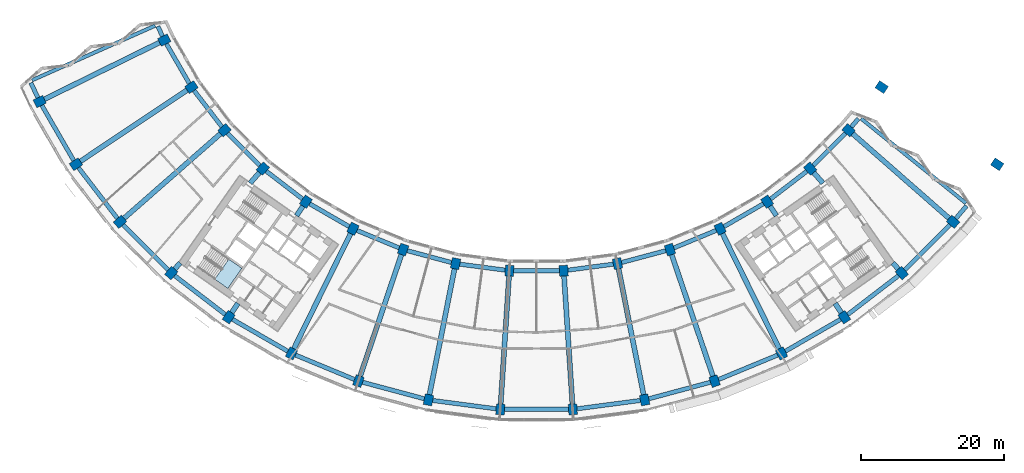
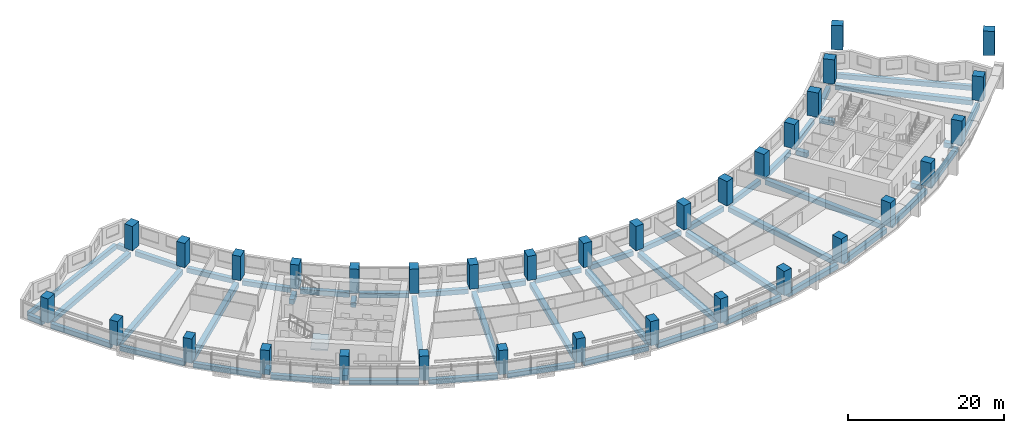
# One storey, part 1 of 29: 56 beams, 34 columns, 1 slab, 1 element without a shape of its own.
"""IFC4 building model written with IfcOpenShell, lengths in metres."""

from ifc_helpers import new_model, si_unit, direction, frame, origin, origin_2d, place, context, subcontext, project, spatial, polyline, rectangle, outline, extrude, material, layer, layer_set, material_profile, profile_set, type_object, element, aggregate, save


model = new_model("IFC4")

# Units and contexts
model_context = context("Model", 3, precision=1e-05, world=origin(), true_north=direction((0.0, 1.0)))
body_context = subcontext(model_context, "Body", "Model", "MODEL_VIEW")
ifc_project = project(units=[si_unit("LENGTHUNIT", "METRE"), si_unit("AREAUNIT", "SQUARE_METRE"), si_unit("VOLUMEUNIT", "CUBIC_METRE"), si_unit("PLANEANGLEUNIT", "RADIAN"), si_unit("MASSUNIT", "GRAM", prefix="KILO")], contexts=[model_context])

# Site, building, storey
site_placement = place(None, origin())
site = spatial("IfcSite", under=ifc_project, at=site_placement, CompositionType="ELEMENT")
building_placement = place(site_placement, origin())
building = spatial("IfcBuilding", under=site, at=building_placement, Name="Qamariyya Broadcast Tower", CompositionType="ELEMENT")
storey_placement = place(building_placement, frame((0.0, 0.0, 129.10009765625)))
storey = spatial("IfcBuildingStorey", under=building, at=storey_placement, Name="L29", CompositionType="ELEMENT", Elevation=129.10009765625)

# Columns
ifc_material_1 = material(Name="Concrete C70/85", Category="concrete")
ifc_material_profile_1 = material_profile(ifc_material_1, rectangle(XDim=1.199951171875, YDim=1.5, at=origin_2d()))
ifc_profile_set_1 = profile_set([ifc_material_profile_1], Name="Concrete C70/85")
column_type = type_object("IfcColumnType", Name="RC column 1200 x 1500 C70/85", PredefinedType="COLUMN", material=ifc_profile_set_1)
for number, where, z_axis, x_axis, name in (
    (1, (-52.242919921875, -25.763427734375, 0.0), (0.0, 0.0, 1.0), (0.442288690219, -0.896872741533, 0.0), "Column C7 L29 B-R02"),
    (2, (-69.73193359375, -34.387939453125, 0.0), (0.0, 0.0, 1.0), (0.442288690219, -0.896872741533, 0.0), "Column C7 L29 C-R02"),
    (3, (-48.43310546875, -32.362060546875, 0.0), (0.0, 0.0, 1.0), (0.55557023302, -0.831469612303, 0.0), "Column C7 L29 B-R03"),
    (4, (-64.646728515625, -43.195556640625, 0.0), (0.0, 0.0, 1.0), (0.55557023302, -0.831469612303, 0.0), "Column C7 L29 C-R03"),
    (5, (-43.794677734375, -38.406982421875, 0.0), (0.0, 0.0, 1.0), (0.6593458151, -0.751839807479, 0.0), "Column C7 L29 B-R04"),
    (6, (-58.45556640625, -51.26416015625, 0.0), (0.0, 0.0, 1.0), (0.6593458151, -0.751839807479, 0.0), "Column C7 L29 C-R04"),
    (7, (-38.406982421875, -43.794677734375, 0.0), (0.0, 0.0, 1.0), (0.751839807479, -0.6593458151, 0.0), "Column C7 L29 B-R05"),
    (8, (-51.26416015625, -58.45556640625, 0.0), (0.0, 0.0, 1.0), (0.751839807479, -0.6593458151, 0.0), "Column C7 L29 C-R05"),
    (9, (-32.362060546875, -48.43310546875, 0.0), (0.0, 0.0, 1.0), (0.831469612303, -0.55557023302, 0.0), "Column C7 L29 B-R06"),
    (10, (-43.195556640625, -64.646728515625, 0.0), (0.0, 0.0, 1.0), (0.831469612303, -0.55557023302, 0.0), "Column C7 L29 C-R06"),
    (11, (-25.763427734375, -52.242919921875, 0.0), (0.0, 0.0, 1.0), (0.896872741533, -0.442288690219, 0.0), "Column C7 L29 B-R07"),
    (12, (-34.387939453125, -69.73193359375, 0.0), (0.0, 0.0, 1.0), (0.896872741533, -0.442288690219, 0.0), "Column C7 L29 C-R07"),
    (13, (-18.723876953125, -55.15869140625, 0.0), (0.0, 0.0, 1.0), (0.946930129495, -0.321439465303, 0.0), "Column C7 L29 B-R08"),
    (14, (-24.991943359375, -73.623779296875, 0.0), (0.0, 0.0, 1.0), (0.946930129495, -0.321439465303, 0.0), "Column C7 L29 C-R08"),
    (15, (-11.364013671875, -57.130859375, 0.0), (0.0, 0.0, 1.0), (0.980785280403, -0.195090322016, 0.0), "Column C7 L29 B-R09"),
    (16, (-15.168212890625, -76.256103515625, 0.0), (0.0, 0.0, 1.0), (0.980785280403, -0.195090322016, 0.0), "Column C7 L29 C-R09"),
    (17, (-3.809814453125, -58.125244140625, 0.0), (0.0, 0.0, 1.0), (0.997858923239, -0.06540312923, 0.0), "Column C7 L29 B-R10"),
    (18, (-5.085205078125, -77.58349609375, 0.0), (0.0, 0.0, 1.0), (0.997858923239, -0.06540312923, 0.0), "Column C7 L29 C-R10"),
    (19, (3.809814453125, -58.125244140625, 0.0), (0.0, 0.0, 1.0), (0.997858923239, 0.06540312923, 0.0), "Column C7 L29 B-R11"),
    (20, (5.085205078125, -77.58349609375, 0.0), (0.0, 0.0, 1.0), (0.997858923239, 0.06540312923, 0.0), "Column C7 L29 C-R11"),
    (21, (11.364013671875, -57.130859375, 0.0), (0.0, 0.0, 1.0), (0.980785280403, 0.195090322016, 0.0), "Column C7 L29 B-R12"),
    (22, (15.168212890625, -76.256103515625, 0.0), (0.0, 0.0, 1.0), (0.980785280403, 0.195090322016, 0.0), "Column C7 L29 C-R12"),
    (23, (18.723876953125, -55.15869140625, 0.0), (0.0, 0.0, 1.0), (0.946930129495, 0.321439465303, 0.0), "Column C7 L29 B-R13"),
    (24, (24.991943359375, -73.623779296875, 0.0), (0.0, 0.0, 1.0), (0.946930129495, 0.321439465303, 0.0), "Column C7 L29 C-R13"),
    (25, (25.763427734375, -52.242919921875, 0.0), (0.0, 0.0, 1.0), (0.896872741533, 0.442288690219, 0.0), "Column C7 L29 B-R14"),
    (26, (34.387939453125, -69.73193359375, 0.0), (0.0, 0.0, 1.0), (0.896872741533, 0.442288690219, 0.0), "Column C7 L29 C-R14"),
    (27, (32.362060546875, -48.43310546875, 0.0), (0.0, 0.0, 1.0), (0.831469612303, 0.55557023302, 0.0), "Column C7 L29 B-R15"),
    (28, (43.195556640625, -64.646728515625, 0.0), (0.0, 0.0, 1.0), (0.831469612303, 0.55557023302, 0.0), "Column C7 L29 C-R15"),
    (29, (38.406982421875, -43.794677734375, 0.0), (0.0, 0.0, 1.0), (0.751839807479, 0.6593458151, 0.0), "Column C7 L29 B-R16"),
    (30, (51.26416015625, -58.45556640625, 0.0), (0.0, 0.0, 1.0), (0.751839807479, 0.6593458151, 0.0), "Column C7 L29 C-R16"),
    (31, (43.794677734375, -38.406982421875, 0.0), (0.0, 0.0, 1.0), (0.6593458151, 0.751839807479, 0.0), "Column C7 L29 B-R17"),
    (32, (58.45556640625, -51.26416015625, 0.0), (0.0, 0.0, 1.0), (0.6593458151, 0.751839807479, 0.0), "Column C7 L29 C-R17"),
    (33, (48.43310546875, -32.362060546875, 0.0), (0.0, 0.0, 1.0), (0.55557023302, 0.831469612303, 0.0), "Column C7 L29 B-R18"),
    (34, (64.646728515625, -43.195556640625, 0.0), (0.0, 0.0, 1.0), (0.55557023302, 0.831469612303, 0.0), "Column C7 L29 C-R18"),
):
    element("IfcColumn", number, at=place(storey_placement, frame(where, z_axis=z_axis, x_axis=x_axis)), inside=storey, type_object=column_type, Name=name, PredefinedType="COLUMN", context=body_context, shape_type="SweptSolid", body=[
        extrude(rectangle(XDim=1.199951171875, YDim=1.5, at=origin_2d()), origin(), (0.0, 0.0, 1.0), 3.7998046875),
    ])

# Beams
ifc_material_2 = material(Name="Concrete C50/60", Category="concrete")
ifc_material_profile_2 = material_profile(ifc_material_2, rectangle(XDim=0.60009765625, YDim=0.75, at=origin_2d()))
ifc_profile_set_2 = profile_set([ifc_material_profile_2], Name="Concrete C50/60")
beam_type_1 = type_object("IfcBeamType", Name="RC edge beam 600 x 750 C50/60", PredefinedType="SPANDREL", material=ifc_profile_set_2)
for number, where, z_axis, x_axis, name in (
    (35, (-51.942138671875, -26.283935546875, -0.675048828125), (0.49999360328, -0.866029096901, 0.0), (0.866029096901, 0.49999360328, 0.0), "Edge beam B15 L29 B R02-R03"),
    (36, (-48.067138671875, -32.839111328125, -0.675048828125), (0.608778135192, -0.793340520906, 0.0), (0.793340520906, 0.608778135192, 0.0), "Edge beam B15 L29 B R03-R04"),
):
    element("IfcBeam", number, at=place(storey_placement, frame(where, z_axis=z_axis, x_axis=x_axis)), inside=storey, type_object=beam_type_1, Name=name, PredefinedType="SPANDREL", context=body_context, shape_type="SweptSolid", body=[
        extrude(rectangle(XDim=0.60009765625, YDim=0.75, at=origin_2d()), origin(), (0.0, 0.0, 1.0), 6.4169921875),
    ])
beam_1_placement = place(storey_placement, frame((-43.369384765625, -38.83203125, -0.675048828125), z_axis=(0.707106781187, -0.707106781187, 0.0), x_axis=(0.707106781187, 0.707106781187, 0.0)))
element("IfcBeam", 37, at=beam_1_placement, inside=storey, type_object=beam_type_1, Name="Edge beam B15 L29 B R04-R05", PredefinedType="SPANDREL", context=body_context, shape_type="SweptSolid", body=[
    extrude(rectangle(XDim=0.60009765625, YDim=0.75, at=origin_2d()), origin(), (0.0, 0.0, 1.0), 6.416748046875),
])
for number, where, z_axis, x_axis, name in (
    (38, (-37.929931640625, -44.16064453125, -0.675048828125), (0.793340520906, -0.608778135192, 0.0), (0.608778135192, 0.793340520906, 0.0), "Edge beam B15 L29 B R05-R06"),
    (39, (-31.84130859375, -48.733642578125, -0.675048828125), (0.866029096901, -0.49999360328, 0.0), (0.49999360328, 0.866029096901, 0.0), "Edge beam B15 L29 B R06-R07"),
    (40, (-25.207763671875, -52.472900390625, -0.675048828125), (0.923884212686, -0.382672133229, 0.0), (0.382672133229, 0.923884212686, 0.0), "Edge beam B15 L29 B R07-R08"),
    (41, (-18.14306640625, -55.314208984375, -0.675048828125), (0.965922916603, -0.258829903956, 0.0), (0.258829903956, 0.965922916603, 0.0), "Edge beam B15 L29 B R08-R09"),
    (42, (-10.767822265625, -57.209228515625, -0.675048828125), (0.991443543958, -0.1305361986, 0.0), (0.1305361986, 0.991443543958, 0.0), "Edge beam B15 L29 B R09-R10"),
    (43, (-3.20849609375, -58.125244140625, -0.675048828125), (1.0, 0.0, 0.0), (0.0, 1.0, 0.0), "Edge beam B15 L29 B R10-R11"),
    (44, (4.40576171875, -58.046875, -0.675048828125), (0.991443543958, 0.1305361986, 0.0), (-0.1305361986, 0.991443543958, 0.0), "Edge beam B15 L29 B R11-R12"),
    (45, (11.94482421875, -56.97509765625, -0.675048828125), (0.965922916603, 0.258829903956, 0.0), (-0.258829903956, 0.965922916603, 0.0), "Edge beam B15 L29 B R12-R13"),
    (46, (19.279296875, -54.928466796875, -0.675048828125), (0.923884212686, 0.382672133229, 0.0), (-0.382672133229, 0.923884212686, 0.0), "Edge beam B15 L29 B R13-R14"),
    (47, (26.283935546875, -51.942138671875, -0.675048828125), (0.866029096901, 0.49999360328, 0.0), (-0.49999360328, 0.866029096901, 0.0), "Edge beam B15 L29 B R14-R15"),
    (48, (32.839111328125, -48.067138671875, -0.675048828125), (0.793340520906, 0.608778135192, 0.0), (-0.608778135192, 0.793340520906, 0.0), "Edge beam B15 L29 B R15-R16"),
):
    element("IfcBeam", number, at=place(storey_placement, frame(where, z_axis=z_axis, x_axis=x_axis)), inside=storey, type_object=beam_type_1, Name=name, PredefinedType="SPANDREL", context=body_context, shape_type="SweptSolid", body=[
        extrude(rectangle(XDim=0.60009765625, YDim=0.75, at=origin_2d()), origin(), (0.0, 0.0, 1.0), 6.4169921875),
    ])
beam_2_placement = place(storey_placement, frame((38.83203125, -43.369384765625, -0.675048828125), z_axis=(0.707106781187, 0.707106781187, 0.0), x_axis=(-0.707106781187, 0.707106781187, 0.0)))
element("IfcBeam", 49, at=beam_2_placement, inside=storey, type_object=beam_type_1, Name="Edge beam B15 L29 B R16-R17", PredefinedType="SPANDREL", context=body_context, shape_type="SweptSolid", body=[
    extrude(rectangle(XDim=0.60009765625, YDim=0.75, at=origin_2d()), origin(), (0.0, 0.0, 1.0), 6.416748046875),
])
beam_3_placement = place(storey_placement, frame((-69.43115234375, -34.90869140625, -0.675048828125), z_axis=(0.499989544228, -0.866031440343, 0.0), x_axis=(0.866031440343, 0.499989544228, 0.0)))
element("IfcBeam", 50, at=beam_3_placement, inside=storey, type_object=beam_type_1, Name="Edge beam B15 L29 C R02-R03", PredefinedType="SPANDREL", context=body_context, shape_type="SweptSolid", body=[
    extrude(rectangle(XDim=0.60009765625, YDim=0.75, at=origin_2d()), origin(), (0.0, 0.0, 1.0), 8.967529296875),
])
beam_4_placement = place(storey_placement, frame((-64.28076171875, -43.672607421875, -0.675048828125), z_axis=(0.608766985019, -0.793349076984, 0.0), x_axis=(0.793349076984, 0.608766985019, 0.0)))
element("IfcBeam", 51, at=beam_4_placement, inside=storey, type_object=beam_type_1, Name="Edge beam B15 L29 C R03-R04", PredefinedType="SPANDREL", context=body_context, shape_type="SweptSolid", body=[
    extrude(rectangle(XDim=0.60009765625, YDim=0.75, at=origin_2d()), origin(), (0.0, 0.0, 1.0), 8.9677734375),
])
beam_5_placement = place(storey_placement, frame((-58.0302734375, -51.689208984375, -0.675048828125), z_axis=(0.707106781187, -0.707106781187, 0.0), x_axis=(0.707106781187, 0.707106781187, 0.0)))
element("IfcBeam", 52, at=beam_5_placement, inside=storey, type_object=beam_type_1, Name="Edge beam B15 L29 C R04-R05", PredefinedType="SPANDREL", context=body_context, shape_type="SweptSolid", body=[
    extrude(rectangle(XDim=0.60009765625, YDim=0.75, at=origin_2d()), origin(), (0.0, 0.0, 1.0), 8.967529296875),
])
beam_6_placement = place(storey_placement, frame((-50.787109375, -58.821533203125, -0.675048828125), z_axis=(0.793349076984, -0.608766985019, 0.0), x_axis=(0.608766985019, 0.793349076984, 0.0)))
element("IfcBeam", 53, at=beam_6_placement, inside=storey, type_object=beam_type_1, Name="Edge beam B15 L29 C R05-R06", PredefinedType="SPANDREL", context=body_context, shape_type="SweptSolid", body=[
    extrude(rectangle(XDim=0.60009765625, YDim=0.75, at=origin_2d()), origin(), (0.0, 0.0, 1.0), 8.9677734375),
])
beam_7_placement = place(storey_placement, frame((-42.6748046875, -64.947509765625, -0.675048828125), z_axis=(0.866031440343, -0.499989544228, 0.0), x_axis=(0.499989544228, 0.866031440343, 0.0)))
element("IfcBeam", 54, at=beam_7_placement, inside=storey, type_object=beam_type_1, Name="Edge beam B15 L29 C R06-R07", PredefinedType="SPANDREL", context=body_context, shape_type="SweptSolid", body=[
    extrude(rectangle(XDim=0.60009765625, YDim=0.75, at=origin_2d()), origin(), (0.0, 0.0, 1.0), 8.967529296875),
])
beam_8_placement = place(storey_placement, frame((-33.83251953125, -69.9619140625, -0.675048828125), z_axis=(0.923877140182, -0.382689207907, 0.0), x_axis=(0.382689207907, 0.923877140182, 0.0)))
element("IfcBeam", 55, at=beam_8_placement, inside=storey, type_object=beam_type_1, Name="Edge beam B15 L29 C R07-R08", PredefinedType="SPANDREL", context=body_context, shape_type="SweptSolid", body=[
    extrude(rectangle(XDim=0.60009765625, YDim=0.75, at=origin_2d()), origin(), (0.0, 0.0, 1.0), 8.9677734375),
])
for number, where, z_axis, x_axis, name in (
    (56, (-24.4111328125, -73.779541015625, -0.675048828125), (0.965931525183, -0.258797775603, 0.0), (0.258797775603, 0.965931525183, 0.0), "Edge beam B15 L29 C R08-R09"),
    (57, (-14.572021484375, -76.33447265625, -0.675048828125), (0.991442708618, -0.130542542983, 0.0), (0.130542542983, 0.991442708618, 0.0), "Edge beam B15 L29 C R09-R10"),
):
    element("IfcBeam", number, at=place(storey_placement, frame(where, z_axis=z_axis, x_axis=x_axis)), inside=storey, type_object=beam_type_1, Name=name, PredefinedType="SPANDREL", context=body_context, shape_type="SweptSolid", body=[
        extrude(rectangle(XDim=0.60009765625, YDim=0.75, at=origin_2d()), origin(), (0.0, 0.0, 1.0), 8.967529296875),
    ])
beam_9_placement = place(storey_placement, frame((-4.48388671875, -77.58349609375, -0.675048828125), z_axis=(1.0, 0.0, 0.0), x_axis=(0.0, 1.0, 0.0)))
element("IfcBeam", 58, at=beam_9_placement, inside=storey, type_object=beam_type_1, Name="Edge beam B15 L29 C R10-R11", PredefinedType="SPANDREL", context=body_context, shape_type="SweptSolid", body=[
    extrude(rectangle(XDim=0.60009765625, YDim=0.75, at=origin_2d()), origin(), (0.0, 0.0, 1.0), 8.9677734375),
])
for number, where, z_axis, x_axis, name in (
    (59, (5.68115234375, -77.505126953125, -0.675048828125), (0.991442708618, 0.130542542983, 0.0), (-0.130542542983, 0.991442708618, 0.0), "Edge beam B15 L29 C R11-R12"),
    (60, (15.7490234375, -76.100341796875, -0.675048828125), (0.965931525183, 0.258797775603, 0.0), (-0.258797775603, 0.965931525183, 0.0), "Edge beam B15 L29 C R12-R13"),
):
    element("IfcBeam", number, at=place(storey_placement, frame(where, z_axis=z_axis, x_axis=x_axis)), inside=storey, type_object=beam_type_1, Name=name, PredefinedType="SPANDREL", context=body_context, shape_type="SweptSolid", body=[
        extrude(rectangle(XDim=0.60009765625, YDim=0.75, at=origin_2d()), origin(), (0.0, 0.0, 1.0), 8.967529296875),
    ])
beam_10_placement = place(storey_placement, frame((25.54736328125, -73.393798828125, -0.675048828125), z_axis=(0.923877140182, 0.382689207907, 0.0), x_axis=(-0.382689207907, 0.923877140182, 0.0)))
element("IfcBeam", 61, at=beam_10_placement, inside=storey, type_object=beam_type_1, Name="Edge beam B15 L29 C R13-R14", PredefinedType="SPANDREL", context=body_context, shape_type="SweptSolid", body=[
    extrude(rectangle(XDim=0.60009765625, YDim=0.75, at=origin_2d()), origin(), (0.0, 0.0, 1.0), 8.9677734375),
])
beam_11_placement = place(storey_placement, frame((34.90869140625, -69.43115234375, -0.675048828125), z_axis=(0.866031440343, 0.499989544228, 0.0), x_axis=(-0.499989544228, 0.866031440343, 0.0)))
element("IfcBeam", 62, at=beam_11_placement, inside=storey, type_object=beam_type_1, Name="Edge beam B15 L29 C R14-R15", PredefinedType="SPANDREL", context=body_context, shape_type="SweptSolid", body=[
    extrude(rectangle(XDim=0.60009765625, YDim=0.75, at=origin_2d()), origin(), (0.0, 0.0, 1.0), 8.967529296875),
])
beam_12_placement = place(storey_placement, frame((43.672607421875, -64.28076171875, -0.675048828125), z_axis=(0.793349076984, 0.608766985019, 0.0), x_axis=(-0.608766985019, 0.793349076984, 0.0)))
element("IfcBeam", 63, at=beam_12_placement, inside=storey, type_object=beam_type_1, Name="Edge beam B15 L29 C R15-R16", PredefinedType="SPANDREL", context=body_context, shape_type="SweptSolid", body=[
    extrude(rectangle(XDim=0.60009765625, YDim=0.75, at=origin_2d()), origin(), (0.0, 0.0, 1.0), 8.9677734375),
])
beam_13_placement = place(storey_placement, frame((51.689208984375, -58.0302734375, -0.675048828125), z_axis=(0.707106781187, 0.707106781187, 0.0), x_axis=(-0.707106781187, 0.707106781187, 0.0)))
element("IfcBeam", 64, at=beam_13_placement, inside=storey, type_object=beam_type_1, Name="Edge beam B15 L29 C R16-R17", PredefinedType="SPANDREL", context=body_context, shape_type="SweptSolid", body=[
    extrude(rectangle(XDim=0.60009765625, YDim=0.75, at=origin_2d()), origin(), (0.0, 0.0, 1.0), 8.967529296875),
])
ifc_material_profile_3 = material_profile(ifc_material_2, rectangle(XDim=0.60009765625, YDim=0.75, at=origin_2d()))
ifc_profile_set_3 = profile_set([ifc_material_profile_3], Name="Concrete C50/60")
beam_type_2 = type_object("IfcBeamType", Name="RC horn beam 600 x 750 C50/60", PredefinedType="BEAM", material=ifc_profile_set_3)
beam_14_placement = place(storey_placement, frame((-52.497314453125, -25.2197265625, -0.675048828125), z_axis=(-0.423831200677, 0.905741195559, 0.0), x_axis=(-0.905741195559, -0.423831200677, 0.0)))
element("IfcBeam", 65, at=beam_14_placement, inside=storey, type_object=beam_type_2, Name="Horn beam B14 L29 W B-R02", PredefinedType="BEAM", context=body_context, shape_type="SweptSolid", body=[
    extrude(rectangle(XDim=0.60009765625, YDim=0.75, at=origin_2d()), origin(), (0.0, 0.0, 1.0), 1.52587890625),
])
beam_15_placement = place(storey_placement, frame((-69.986328125, -33.844482421875, -0.675048828125), z_axis=(-0.423886882644, 0.905715137735, 0.0), x_axis=(-0.905715137735, -0.423886882644, 0.0)))
element("IfcBeam", 66, at=beam_15_placement, inside=storey, type_object=beam_type_2, Name="Horn beam B14 L29 W C-R02", PredefinedType="BEAM", context=body_context, shape_type="SweptSolid", body=[
    extrude(rectangle(XDim=0.60009765625, YDim=0.75, at=origin_2d()), origin(), (0.0, 0.0, 1.0), 2.32177734375),
])
beam_16_placement = place(storey_placement, frame((44.18115234375, -37.94775390625, -0.675048828125), z_axis=(0.643874624577, 0.765131013504, 0.0), x_axis=(-0.765131013504, 0.643874624577, 0.0)))
element("IfcBeam", 67, at=beam_16_placement, inside=storey, type_object=beam_type_2, Name="Horn beam B14 L29 E B-R17", PredefinedType="BEAM", context=body_context, shape_type="SweptSolid", body=[
    extrude(rectangle(XDim=0.60009765625, YDim=0.75, at=origin_2d()), origin(), (0.0, 0.0, 1.0), 1.526123046875),
])
beam_17_placement = place(storey_placement, frame((58.842041015625, -50.804931640625, -0.675048828125), z_axis=(0.643818321328, 0.765178390392, 0.0), x_axis=(-0.765178390392, 0.643818321328, 0.0)))
element("IfcBeam", 68, at=beam_17_placement, inside=storey, type_object=beam_type_2, Name="Horn beam B14 L29 E C-R17", PredefinedType="BEAM", context=body_context, shape_type="SweptSolid", body=[
    extrude(rectangle(XDim=0.60009765625, YDim=0.75, at=origin_2d()), origin(), (0.0, 0.0, 1.0), 2.321533203125),
])
ifc_material_profile_4 = material_profile(ifc_material_2, rectangle(XDim=0.5, YDim=0.75, at=origin_2d()))
ifc_profile_set_4 = profile_set([ifc_material_profile_4], Name="Concrete C50/60")
beam_type_3 = type_object("IfcBeamType", Name="RC horn cap beam 500 x 750 C50/60", PredefinedType="BEAM", material=ifc_profile_set_4)
beam_18_placement = place(storey_placement, frame((-53.5244140625, -23.732666015625, -0.675048828125), z_axis=(-0.914165436174, -0.405341282507, 0.0), x_axis=(0.405341282507, -0.914165436174, 0.0)))
element("IfcBeam", 69, at=beam_18_placement, inside=storey, type_object=beam_type_3, Name="Horn cap beam B17 L29 W B-C", PredefinedType="BEAM", context=body_context, shape_type="SweptSolid", body=[
    extrude(rectangle(XDim=0.5, YDim=0.75, at=origin_2d()), origin(), (0.0, 0.0, 1.0), 18.89990234375),
])
beam_19_placement = place(storey_placement, frame((45.55810546875, -36.777099609375, -0.675048828125), z_axis=(0.778105078585, -0.628134131122, 0.0), x_axis=(0.628134131122, 0.778105078585, 0.0)))
element("IfcBeam", 70, at=beam_19_placement, inside=storey, type_object=beam_type_3, Name="Horn cap beam B17 L29 E B-C", PredefinedType="BEAM", context=body_context, shape_type="SweptSolid", body=[
    extrude(rectangle(XDim=0.5, YDim=0.75, at=origin_2d()), origin(), (0.0, 0.0, 1.0), 18.900146484375),
])
ifc_material_profile_5 = material_profile(ifc_material_2, rectangle(XDim=0.699951171875, YDim=0.75, at=origin_2d()))
ifc_profile_set_5 = profile_set([ifc_material_profile_5], Name="Concrete C50/60")
beam_type_4 = type_object("IfcBeamType", Name="RC radial beam 700 x 750 C50/60", PredefinedType="BEAM", material=ifc_profile_set_5)
beam_20_placement = place(storey_placement, frame((-52.91552734375, -26.094970703125, -0.675048828125), z_axis=(-0.896871386501, -0.442291437941, 0.0), x_axis=(0.442291437941, -0.896871386501, 0.0)))
element("IfcBeam", 71, at=beam_20_placement, inside=storey, type_object=beam_type_4, Name="Radial beam B13 L29 R02 B-C", PredefinedType="BEAM", context=body_context, shape_type="SweptSolid", body=[
    extrude(rectangle(XDim=0.699951171875, YDim=0.75, at=origin_2d()), origin(), (0.0, 0.0, 1.0), 17.999755859375),
])
beam_21_placement = place(storey_placement, frame((-49.056640625, -32.778564453125, -0.675048828125), z_axis=(-0.831471836778, -0.555566903843, 0.0), x_axis=(0.555566903843, -0.831471836778, 0.0)))
element("IfcBeam", 72, at=beam_21_placement, inside=storey, type_object=beam_type_4, Name="Radial beam B13 L29 R03 B-C", PredefinedType="BEAM", context=body_context, shape_type="SweptSolid", body=[
    extrude(rectangle(XDim=0.699951171875, YDim=0.75, at=origin_2d()), origin(), (0.0, 0.0, 1.0), 18.0),
])
beam_22_placement = place(storey_placement, frame((-44.358642578125, -38.9013671875, -0.675048828125), z_axis=(-0.751837671483, -0.659348250729, 0.0), x_axis=(0.659348250729, -0.751837671483, 0.0)))
element("IfcBeam", 73, at=beam_22_placement, inside=storey, type_object=beam_type_4, Name="Radial beam B13 L29 R04 B-C", PredefinedType="BEAM", context=body_context, shape_type="SweptSolid", body=[
    extrude(rectangle(XDim=0.699951171875, YDim=0.75, at=origin_2d()), origin(), (0.0, 0.0, 1.0), 17.999755859375),
])
beam_23_placement = place(storey_placement, frame((-38.9013671875, -44.358642578125, -0.675048828125), z_axis=(-0.659376140982, -0.751813211312, 0.0), x_axis=(0.751813211312, -0.659376140982, 0.0)))
element("IfcBeam", 74, at=beam_23_placement, inside=storey, type_object=beam_type_4, Name="Radial beam B13 L29 R05 B-C", PredefinedType="BEAM", context=body_context, shape_type="SweptSolid", body=[
    extrude(rectangle(XDim=0.699951171875, YDim=0.75, at=origin_2d()), origin(), (0.0, 0.0, 1.0), 1.96240234375),
])
beam_24_placement = place(storey_placement, frame((-50.011962890625, -57.027587890625, -0.675048828125), z_axis=(-0.659271387296, -0.751905072395, 0.0), x_axis=(0.751905072395, -0.659271387296, 0.0)))
element("IfcBeam", 75, at=beam_24_placement, inside=storey, type_object=beam_type_4, Name="Radial beam B13 L29 R05 B-C", PredefinedType="BEAM", context=body_context, shape_type="SweptSolid", body=[
    extrude(rectangle(XDim=0.699951171875, YDim=0.75, at=origin_2d()), origin(), (0.0, 0.0, 1.0), 1.149169921875),
])
beam_25_placement = place(storey_placement, frame((-32.778564453125, -49.056640625, -0.675048828125), z_axis=(-0.555537373717, -0.831491567248, 0.0), x_axis=(0.831491567248, -0.555537373717, 0.0)))
element("IfcBeam", 76, at=beam_25_placement, inside=storey, type_object=beam_type_4, Name="Radial beam B13 L29 R06 B-C", PredefinedType="BEAM", context=body_context, shape_type="SweptSolid", body=[
    extrude(rectangle(XDim=0.699951171875, YDim=0.75, at=origin_2d()), origin(), (0.0, 0.0, 1.0), 1.614501953125),
])
beam_26_placement = place(storey_placement, frame((-41.89990234375, -62.707763671875, -0.675048828125), z_axis=(-0.555554602959, -0.831480055762, 0.0), x_axis=(0.831480055762, -0.555554602959, 0.0)))
element("IfcBeam", 77, at=beam_26_placement, inside=storey, type_object=beam_type_4, Name="Radial beam B13 L29 R06 B-C", PredefinedType="BEAM", context=body_context, shape_type="SweptSolid", body=[
    extrude(rectangle(XDim=0.699951171875, YDim=0.75, at=origin_2d()), origin(), (0.0, 0.0, 1.0), 1.58203125),
])
beam_27_placement = place(storey_placement, frame((-26.094970703125, -52.91552734375, -0.675048828125), z_axis=(-0.442291437941, -0.896871386501, 0.0), x_axis=(0.896871386501, -0.442291437941, 0.0)))
element("IfcBeam", 78, at=beam_27_placement, inside=storey, type_object=beam_type_4, Name="Radial beam B13 L29 R07 B-C", PredefinedType="BEAM", context=body_context, shape_type="SweptSolid", body=[
    extrude(rectangle(XDim=0.699951171875, YDim=0.75, at=origin_2d()), origin(), (0.0, 0.0, 1.0), 17.999755859375),
])
beam_28_placement = place(storey_placement, frame((-18.96484375, -55.868896484375, -0.675048828125), z_axis=(-0.321439476461, -0.946930125707, 0.0), x_axis=(0.946930125707, -0.321439476461, 0.0)))
element("IfcBeam", 79, at=beam_28_placement, inside=storey, type_object=beam_type_4, Name="Radial beam B13 L29 R08 B-C", PredefinedType="BEAM", context=body_context, shape_type="SweptSolid", body=[
    extrude(rectangle(XDim=0.699951171875, YDim=0.75, at=origin_2d()), origin(), (0.0, 0.0, 1.0), 18.0),
])
beam_29_placement = place(storey_placement, frame((-11.51025390625, -57.8662109375, -0.675048828125), z_axis=(-0.195093569287, -0.980784634475, 0.0), x_axis=(0.980784634475, -0.195093569287, 0.0)))
element("IfcBeam", 80, at=beam_29_placement, inside=storey, type_object=beam_type_4, Name="Radial beam B13 L29 R09 B-C", PredefinedType="BEAM", context=body_context, shape_type="SweptSolid", body=[
    extrude(rectangle(XDim=0.699951171875, YDim=0.75, at=origin_2d()), origin(), (0.0, 0.0, 1.0), 18.000244140625),
])
for number, where, z_axis, x_axis, name in (
    (81, (-3.85888671875, -58.873779296875, -0.675048828125), (-0.065402689504, -0.99785895206, 0.0), (0.99785895206, -0.065402689504, 0.0), "Radial beam B13 L29 R10 B-C"),
    (82, (3.85888671875, -58.873779296875, -0.675048828125), (0.065402689504, -0.99785895206, 0.0), (0.99785895206, 0.065402689504, 0.0), "Radial beam B13 L29 R11 B-C"),
):
    element("IfcBeam", number, at=place(storey_placement, frame(where, z_axis=z_axis, x_axis=x_axis)), inside=storey, type_object=beam_type_4, Name=name, PredefinedType="BEAM", context=body_context, shape_type="SweptSolid", body=[
        extrude(rectangle(XDim=0.699951171875, YDim=0.75, at=origin_2d()), origin(), (0.0, 0.0, 1.0), 18.0),
    ])
beam_30_placement = place(storey_placement, frame((11.51025390625, -57.8662109375, -0.675048828125), z_axis=(0.195093569287, -0.980784634475, 0.0), x_axis=(0.980784634475, 0.195093569287, 0.0)))
element("IfcBeam", 83, at=beam_30_placement, inside=storey, type_object=beam_type_4, Name="Radial beam B13 L29 R12 B-C", PredefinedType="BEAM", context=body_context, shape_type="SweptSolid", body=[
    extrude(rectangle(XDim=0.699951171875, YDim=0.75, at=origin_2d()), origin(), (0.0, 0.0, 1.0), 18.000244140625),
])
beam_31_placement = place(storey_placement, frame((18.96484375, -55.868896484375, -0.675048828125), z_axis=(0.321439476461, -0.946930125707, 0.0), x_axis=(0.946930125707, 0.321439476461, 0.0)))
element("IfcBeam", 84, at=beam_31_placement, inside=storey, type_object=beam_type_4, Name="Radial beam B13 L29 R13 B-C", PredefinedType="BEAM", context=body_context, shape_type="SweptSolid", body=[
    extrude(rectangle(XDim=0.699951171875, YDim=0.75, at=origin_2d()), origin(), (0.0, 0.0, 1.0), 18.0),
])
beam_32_placement = place(storey_placement, frame((26.094970703125, -52.91552734375, -0.675048828125), z_axis=(0.442291437941, -0.896871386501, 0.0), x_axis=(0.896871386501, 0.442291437941, 0.0)))
element("IfcBeam", 85, at=beam_32_placement, inside=storey, type_object=beam_type_4, Name="Radial beam B13 L29 R14 B-C", PredefinedType="BEAM", context=body_context, shape_type="SweptSolid", body=[
    extrude(rectangle(XDim=0.699951171875, YDim=0.75, at=origin_2d()), origin(), (0.0, 0.0, 1.0), 17.999755859375),
])
beam_33_placement = place(storey_placement, frame((32.778564453125, -49.056640625, -0.675048828125), z_axis=(0.555537373717, -0.831491567248, 0.0), x_axis=(0.831491567248, 0.555537373717, 0.0)))
element("IfcBeam", 86, at=beam_33_placement, inside=storey, type_object=beam_type_4, Name="Radial beam B13 L29 R15 B-C", PredefinedType="BEAM", context=body_context, shape_type="SweptSolid", body=[
    extrude(rectangle(XDim=0.699951171875, YDim=0.75, at=origin_2d()), origin(), (0.0, 0.0, 1.0), 1.614501953125),
])
beam_34_placement = place(storey_placement, frame((41.89990234375, -62.707763671875, -0.675048828125), z_axis=(0.555554602959, -0.831480055762, 0.0), x_axis=(0.831480055762, 0.555554602959, 0.0)))
element("IfcBeam", 87, at=beam_34_placement, inside=storey, type_object=beam_type_4, Name="Radial beam B13 L29 R15 B-C", PredefinedType="BEAM", context=body_context, shape_type="SweptSolid", body=[
    extrude(rectangle(XDim=0.699951171875, YDim=0.75, at=origin_2d()), origin(), (0.0, 0.0, 1.0), 1.58203125),
])
beam_35_placement = place(storey_placement, frame((38.9013671875, -44.358642578125, -0.675048828125), z_axis=(0.659376140982, -0.751813211312, 0.0), x_axis=(0.751813211312, 0.659376140982, 0.0)))
element("IfcBeam", 88, at=beam_35_placement, inside=storey, type_object=beam_type_4, Name="Radial beam B13 L29 R16 B-C", PredefinedType="BEAM", context=body_context, shape_type="SweptSolid", body=[
    extrude(rectangle(XDim=0.699951171875, YDim=0.75, at=origin_2d()), origin(), (0.0, 0.0, 1.0), 1.96240234375),
])
beam_36_placement = place(storey_placement, frame((50.011962890625, -57.027587890625, -0.675048828125), z_axis=(0.659271387296, -0.751905072395, 0.0), x_axis=(0.751905072395, 0.659271387296, 0.0)))
element("IfcBeam", 89, at=beam_36_placement, inside=storey, type_object=beam_type_4, Name="Radial beam B13 L29 R16 B-C", PredefinedType="BEAM", context=body_context, shape_type="SweptSolid", body=[
    extrude(rectangle(XDim=0.699951171875, YDim=0.75, at=origin_2d()), origin(), (0.0, 0.0, 1.0), 1.149169921875),
])
beam_37_placement = place(storey_placement, frame((44.358642578125, -38.9013671875, -0.675048828125), z_axis=(0.751837671483, -0.659348250729, 0.0), x_axis=(0.659348250729, 0.751837671483, 0.0)))
element("IfcBeam", 90, at=beam_37_placement, inside=storey, type_object=beam_type_4, Name="Radial beam B13 L29 R17 B-C", PredefinedType="BEAM", context=body_context, shape_type="SweptSolid", body=[
    extrude(rectangle(XDim=0.699951171875, YDim=0.75, at=origin_2d()), origin(), (0.0, 0.0, 1.0), 17.999755859375),
])

# Stair, slab
stair_type = type_object("IfcStairType", Name="Exit stair 22 risers of 173 mm", PredefinedType="HALF_TURN_STAIR", material=ifc_material_2)
stair_placement = place(storey_placement, origin())
stair = element("IfcStair", 91, at=stair_placement, inside=storey, type_object=stair_type, Name="L29 Stair W1", PredefinedType="HALF_TURN_STAIR")
ifc_layer = layer(ifc_material_2, 0.199951171875)
ifc_layer_set = layer_set([ifc_layer], Name="Stair landing")
slab_type = type_object("IfcSlabType", Name="Stair landing", PredefinedType="LANDING", material=ifc_layer_set)
slab_placement = place(storey_placement, frame((0.0, 0.0, 1.699951171875)))
slab = element("IfcSlab", 92, at=slab_placement, type_object=slab_type, Name="ST-W1 landing 1", PredefinedType="LANDING", context=body_context, shape_type="SweptSolid", body=[
    extrude(outline(polyline([(-45.169677734375, -59.319580078125), (-43.3271484375, -60.609619140625), (-41.348388671875, -57.783447265625), (-43.19091796875, -56.493408203125), (-45.169677734375, -59.319580078125)])), origin(), (0.0, 0.0, 1.0), 0.199951171875),
])
aggregate(stair, [slab])

save(model, "model.ifc")
